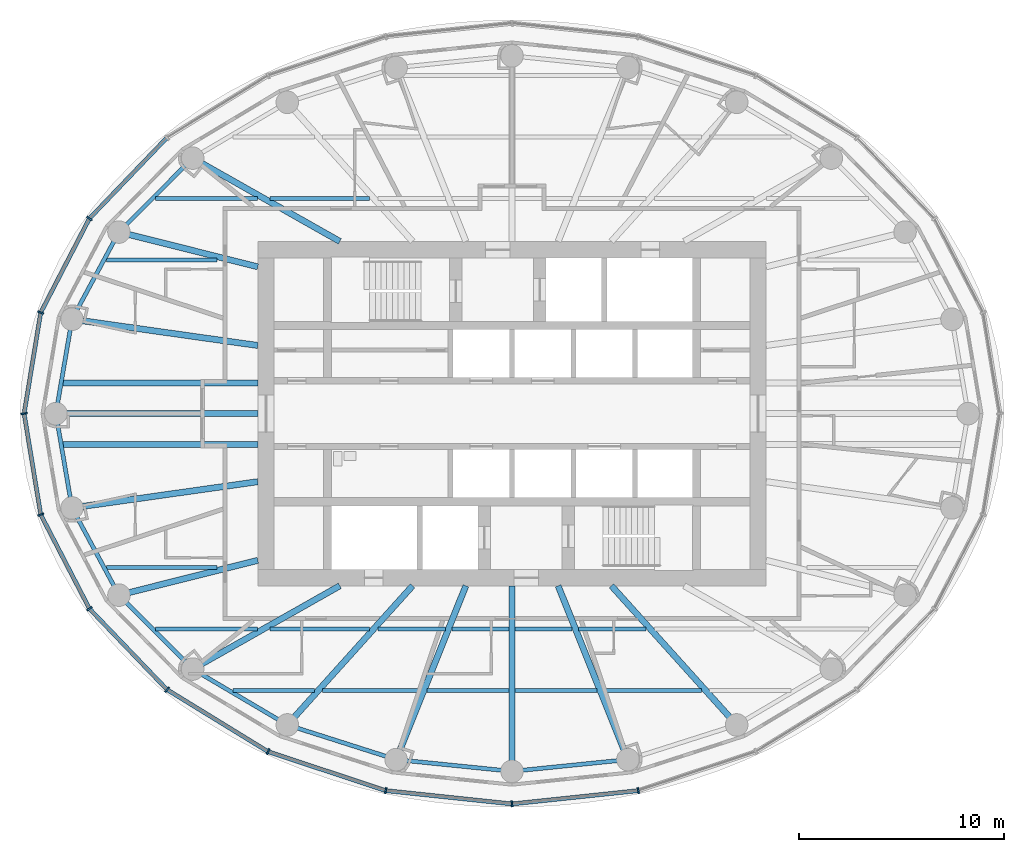
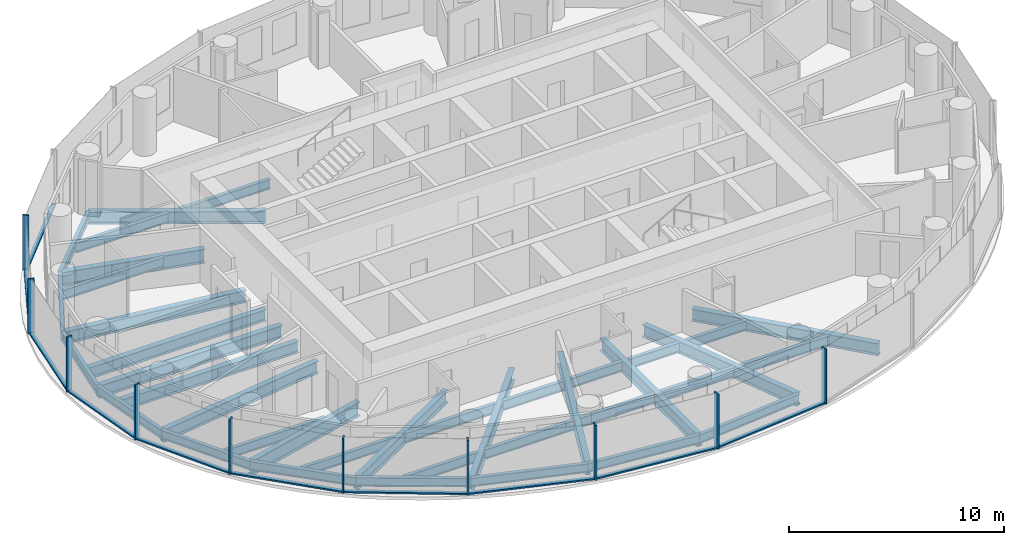
# One storey, part 2 of 16: 39 beams, 20 members, 3 elements without a shape of their own.
"""IFC4 building model written with IfcOpenShell, lengths in metres."""

from ifc_helpers import new_model, si_unit, direction, frame, origin, origin_2d, place, context, subcontext, project, spatial, rectangle, i_section, extrude, material, material_profile, profile_set, type_object, element, aggregate, save


model = new_model("IFC4")

# Units and contexts
model_context = context("Model", 3, precision=1e-05, world=origin(), true_north=direction((0.0, 1.0)))
body_context = subcontext(model_context, "Body", "Model", "MODEL_VIEW")
ifc_project = project(units=[si_unit("LENGTHUNIT", "METRE"), si_unit("AREAUNIT", "SQUARE_METRE"), si_unit("VOLUMEUNIT", "CUBIC_METRE"), si_unit("PLANEANGLEUNIT", "RADIAN"), si_unit("MASSUNIT", "GRAM", prefix="KILO")], contexts=[model_context])

# Site, building, storey
site_placement = place(None, origin())
site = spatial("IfcSite", under=ifc_project, at=site_placement, CompositionType="ELEMENT")
building_placement = place(site_placement, origin())
building = spatial("IfcBuilding", under=site, at=building_placement, Name="Hankou Lantern Tower", CompositionType="ELEMENT")
storey_placement = place(building_placement, frame((0.0, 0.0, 166.5)))
storey = spatial("IfcBuildingStorey", under=building, at=storey_placement, Name="L44", CompositionType="ELEMENT", Elevation=166.5)

# Beams
ifc_material_1 = material(Name="Steel Q355B", Category="steel")
ifc_material_profile_1 = material_profile(ifc_material_1, i_section(OverallWidth=0.199951171875, OverallDepth=0.5, WebThickness=0.010009765625, FlangeThickness=0.01611328125, FilletRadius=0.012939453125, at=origin_2d()), Name="HN500x200x10x16")
ifc_profile_set_1 = profile_set([ifc_material_profile_1], Name="Steel Q355B")
beam_type_1 = type_object("IfcBeamType", Name="EB5 RING BEAM HN500x200x10x16", PredefinedType="SPANDREL", material=ifc_profile_set_1)
beam_1_placement = place(storey_placement, frame((-15.576171875, 12.4609375, -0.429931640625), z_axis=(-0.706147278092, -0.708064984054, 0.0), x_axis=(0.708064984054, -0.706147278092, 0.0)))
element("IfcBeam", 1, at=beam_1_placement, inside=storey, type_object=beam_type_1, Name="Ring beam R10-R11 L44", PredefinedType="SPANDREL", context=body_context, shape_type="SweptSolid", body=[
    extrude(i_section(OverallWidth=0.199951171875, OverallDepth=0.5, WebThickness=0.010009765625, FlangeThickness=0.01611328125, FilletRadius=0.012939453125, at=origin_2d()), origin(), (0.0, 0.0, 1.0), 5.09228515625),
])
beam_2_placement = place(storey_placement, frame((-19.172119140625, 8.855224609375, -0.429931640625), z_axis=(-0.474051612334, -0.880497057828, 0.0), x_axis=(0.880497057828, -0.474051612334, 0.0)))
element("IfcBeam", 2, at=beam_2_placement, inside=storey, type_object=beam_type_1, Name="Ring beam R11-R12 L44", PredefinedType="SPANDREL", context=body_context, shape_type="SweptSolid", body=[
    extrude(i_section(OverallWidth=0.199951171875, OverallDepth=0.5, WebThickness=0.010009765625, FlangeThickness=0.01611328125, FilletRadius=0.012939453125, at=origin_2d()), origin(), (0.0, 0.0, 1.0), 4.831787109375),
])
for number, where, z_axis, x_axis, name in (
    (3, (-21.462646484375, 4.600830078125, -0.429931640625), (-0.168680718946, -0.985670743735, 0.0), (0.985670743735, -0.168680718946, 0.0), "Ring beam R12-R13 L44"),
    (4, (-22.25, 0.0, -0.429931640625), (0.168680718946, -0.985670743735, 0.0), (0.985670743735, 0.168680718946, 0.0), "Ring beam R13-R14 L44"),
):
    element("IfcBeam", number, at=place(storey_placement, frame(where, z_axis=z_axis, x_axis=x_axis)), inside=storey, type_object=beam_type_1, Name=name, PredefinedType="SPANDREL", context=body_context, shape_type="SweptSolid", body=[
        extrude(i_section(OverallWidth=0.199951171875, OverallDepth=0.5, WebThickness=0.010009765625, FlangeThickness=0.01611328125, FilletRadius=0.012939453125, at=origin_2d()), origin(), (0.0, 0.0, 1.0), 4.667724609375),
    ])
beam_3_placement = place(storey_placement, frame((-21.462646484375, -4.600830078125, -0.429931640625), z_axis=(0.474051612334, -0.880497057828, 0.0), x_axis=(0.880497057828, 0.474051612334, 0.0)))
element("IfcBeam", 5, at=beam_3_placement, inside=storey, type_object=beam_type_1, Name="Ring beam R14-R15 L44", PredefinedType="SPANDREL", context=body_context, shape_type="SweptSolid", body=[
    extrude(i_section(OverallWidth=0.199951171875, OverallDepth=0.5, WebThickness=0.010009765625, FlangeThickness=0.01611328125, FilletRadius=0.012939453125, at=origin_2d()), origin(), (0.0, 0.0, 1.0), 4.831787109375),
])
beam_4_placement = place(storey_placement, frame((-19.172119140625, -8.855224609375, -0.429931640625), z_axis=(0.706147278092, -0.708064984054, 0.0), x_axis=(0.708064984054, 0.706147278092, 0.0)))
element("IfcBeam", 6, at=beam_4_placement, inside=storey, type_object=beam_type_1, Name="Ring beam R15-R16 L44", PredefinedType="SPANDREL", context=body_context, shape_type="SweptSolid", body=[
    extrude(i_section(OverallWidth=0.199951171875, OverallDepth=0.5, WebThickness=0.010009765625, FlangeThickness=0.01611328125, FilletRadius=0.012939453125, at=origin_2d()), origin(), (0.0, 0.0, 1.0), 5.09228515625),
])
beam_5_placement = place(storey_placement, frame((-15.576171875, -12.4609375, -0.429931640625), z_axis=(0.861135888339, -0.508374843806, 0.0), x_axis=(0.508374843806, 0.861135888339, 0.0)))
element("IfcBeam", 7, at=beam_5_placement, inside=storey, type_object=beam_type_1, Name="Ring beam R16-R17 L44", PredefinedType="SPANDREL", context=body_context, shape_type="SweptSolid", body=[
    extrude(i_section(OverallWidth=0.199951171875, OverallDepth=0.5, WebThickness=0.010009765625, FlangeThickness=0.01611328125, FilletRadius=0.012939453125, at=origin_2d()), origin(), (0.0, 0.0, 1.0), 5.36083984375),
])
beam_6_placement = place(storey_placement, frame((-10.959716796875, -15.186279296875, -0.429931640625), z_axis=(0.952790404271, -0.30362879562, 0.0), x_axis=(0.30362879562, 0.952790404271, 0.0)))
element("IfcBeam", 8, at=beam_6_placement, inside=storey, type_object=beam_type_1, Name="Ring beam R17-R18 L44", PredefinedType="SPANDREL", context=body_context, shape_type="SweptSolid", body=[
    extrude(i_section(OverallWidth=0.199951171875, OverallDepth=0.5, WebThickness=0.010009765625, FlangeThickness=0.01611328125, FilletRadius=0.012939453125, at=origin_2d()), origin(), (0.0, 0.0, 1.0), 5.56982421875),
])
for number, where, z_axis, x_axis, name in (
    (9, (-5.65283203125, -16.87744140625, -0.429931640625), (0.9949104636, -0.100762936734, 0.0), (0.100762936734, 0.9949104636, 0.0), "Ring beam R18-R19 L44"),
    (10, (0.0, -17.449951171875, -0.429931640625), (0.9949104636, 0.100762936734, 0.0), (-0.100762936734, 0.9949104636, 0.0), "Ring beam R19-R20 L44"),
):
    element("IfcBeam", number, at=place(storey_placement, frame(where, z_axis=z_axis, x_axis=x_axis)), inside=storey, type_object=beam_type_1, Name=name, PredefinedType="SPANDREL", context=body_context, shape_type="SweptSolid", body=[
        extrude(i_section(OverallWidth=0.199951171875, OverallDepth=0.5, WebThickness=0.010009765625, FlangeThickness=0.01611328125, FilletRadius=0.012939453125, at=origin_2d()), origin(), (0.0, 0.0, 1.0), 5.681640625),
    ])

# Curtain wall, members
ifc_material_2 = material(Name="Glass, dark grey tinted laminated", Category="glass")
curtain_wall_type = type_object("IfcCurtainWallType", Name="CWC OUTER SKIN HIGH-RISE", PredefinedType="USERDEFINED", material=ifc_material_2)
curtain_wall_1_placement = place(storey_placement, origin())
curtain_wall_1 = element("IfcCurtainWall", 11, at=curtain_wall_1_placement, inside=storey, type_object=curtain_wall_type, Name="CWC L44 OS2", ObjectType="OUTER SKIN HIGH-RISE", PredefinedType="USERDEFINED")
ifc_material_3 = material(Name="Aluminium, black anodised", Category="aluminium")
ifc_material_profile_2 = material_profile(ifc_material_3, rectangle(XDim=0.080078125, YDim=0.300048828125, at=origin_2d()), Name="MU1 80X300")
ifc_profile_set_2 = profile_set([ifc_material_profile_2], Name="Aluminium, black anodised")
member_type_1 = type_object("IfcMemberType", Name="MU1 OUTER SKIN MULLION 80X300", PredefinedType="MULLION", material=ifc_profile_set_2)
member_1_placement = place(storey_placement, frame((-20.611328125, 9.52001953125, 0.0), z_axis=(0.0, 0.0, 1.0), x_axis=(-0.585205735974, -0.810884854084, 0.0)))
member_1 = element("IfcMember", 12, at=member_1_placement, type_object=member_type_1, Name="CWC mullion 5", PredefinedType="MULLION", context=body_context, shape_type="SweptSolid", body=[
    extrude(rectangle(XDim=0.080078125, YDim=0.300048828125, at=origin_2d()), origin(), (0.0, 0.0, 1.0), 3.1201171875),
])
member_2_placement = place(storey_placement, frame((-22.989013671875, 4.927978515625, 0.0), z_axis=(0.0, 0.0, 1.0), x_axis=(-0.317595577365, -0.94822626479, 0.0)))
member_2 = element("IfcMember", 13, at=member_2_placement, type_object=member_type_1, Name="CWC mullion 6", PredefinedType="MULLION", context=body_context, shape_type="SweptSolid", body=[
    extrude(rectangle(XDim=0.080078125, YDim=0.300048828125, at=origin_2d()), origin(), (0.0, 0.0, 1.0), 3.1201171875),
])

curtain_wall_2_placement = place(storey_placement, origin())
curtain_wall_2 = element("IfcCurtainWall", 14, at=curtain_wall_2_placement, inside=storey, type_object=curtain_wall_type, Name="CWC L44 OS3", ObjectType="OUTER SKIN HIGH-RISE", PredefinedType="USERDEFINED")
member_3_placement = place(storey_placement, frame((-23.800048828125, 0.0, 0.0), z_axis=(0.0, 0.0, 1.0), x_axis=(0.162381515188, -0.986728049427, 0.0)))
member_3 = element("IfcMember", 15, at=member_3_placement, type_object=member_type_1, Name="CWC mullion 1", PredefinedType="MULLION", context=body_context, shape_type="SweptSolid", body=[
    extrude(rectangle(XDim=0.080078125, YDim=0.300048828125, at=origin_2d()), origin(), (0.0, 0.0, 1.0), 3.1201171875),
])
member_4_placement = place(storey_placement, frame((-22.989013671875, -4.927978515625, 0.0), z_axis=(0.0, 0.0, 1.0), x_axis=(0.317595577365, -0.94822626479, 0.0)))
member_4 = element("IfcMember", 16, at=member_4_placement, type_object=member_type_1, Name="CWC mullion 2", PredefinedType="MULLION", context=body_context, shape_type="SweptSolid", body=[
    extrude(rectangle(XDim=0.080078125, YDim=0.300048828125, at=origin_2d()), origin(), (0.0, 0.0, 1.0), 3.1201171875),
])
member_5_placement = place(storey_placement, frame((-20.611328125, -9.52001953125, 0.0), z_axis=(0.0, 0.0, 1.0), x_axis=(0.585205735974, -0.810884854084, 0.0)))
member_5 = element("IfcMember", 17, at=member_5_placement, type_object=member_type_1, Name="CWC mullion 3", PredefinedType="MULLION", context=body_context, shape_type="SweptSolid", body=[
    extrude(rectangle(XDim=0.080078125, YDim=0.300048828125, at=origin_2d()), origin(), (0.0, 0.0, 1.0), 3.1201171875),
])
member_6_placement = place(storey_placement, frame((-16.8291015625, -13.46337890625, 0.0), z_axis=(0.0, 0.0, 1.0), x_axis=(0.780868809444, -0.624695047553, 0.0)))
member_6 = element("IfcMember", 18, at=member_6_placement, type_object=member_type_1, Name="CWC mullion 4", PredefinedType="MULLION", context=body_context, shape_type="SweptSolid", body=[
    extrude(rectangle(XDim=0.080078125, YDim=0.300048828125, at=origin_2d()), origin(), (0.0, 0.0, 1.0), 3.1201171875),
])
member_7_placement = place(storey_placement, frame((-11.89990234375, -16.489013671875, 0.0), z_axis=(0.0, 0.0, 1.0), x_axis=(0.907841299004, -0.419313934686, 0.0)))
member_7 = element("IfcMember", 19, at=member_7_placement, type_object=member_type_1, Name="CWC mullion 5", PredefinedType="MULLION", context=body_context, shape_type="SweptSolid", body=[
    extrude(rectangle(XDim=0.080078125, YDim=0.300048828125, at=origin_2d()), origin(), (0.0, 0.0, 1.0), 3.1201171875),
])
member_8_placement = place(storey_placement, frame((-6.159912109375, -18.39111328125, 0.0), z_axis=(0.0, 0.0, 1.0), x_axis=(0.977787659625, -0.209597931016, 0.0)))
member_8 = element("IfcMember", 20, at=member_8_placement, type_object=member_type_1, Name="CWC mullion 6", PredefinedType="MULLION", context=body_context, shape_type="SweptSolid", body=[
    extrude(rectangle(XDim=0.080078125, YDim=0.300048828125, at=origin_2d()), origin(), (0.0, 0.0, 1.0), 3.1201171875),
])

curtain_wall_3_placement = place(storey_placement, origin())
curtain_wall_3 = element("IfcCurtainWall", 21, at=curtain_wall_3_placement, inside=storey, type_object=curtain_wall_type, Name="CWC L44 OS4", ObjectType="OUTER SKIN HIGH-RISE", PredefinedType="USERDEFINED")
member_9_placement = place(storey_placement, frame((0.0, -19.0400390625, 0.0), z_axis=(0.0, 0.0, 1.0), x_axis=(0.994499359107, 0.104742659579, 0.0)))
member_9 = element("IfcMember", 22, at=member_9_placement, type_object=member_type_1, Name="CWC mullion 1", PredefinedType="MULLION", context=body_context, shape_type="SweptSolid", body=[
    extrude(rectangle(XDim=0.080078125, YDim=0.300048828125, at=origin_2d()), origin(), (0.0, 0.0, 1.0), 3.1201171875),
])
member_10_placement = place(storey_placement, frame((6.159912109375, -18.39111328125, 0.0), z_axis=(0.0, 0.0, 1.0), x_axis=(0.977787659625, 0.209597931016, 0.0)))
member_10 = element("IfcMember", 23, at=member_10_placement, type_object=member_type_1, Name="CWC mullion 2", PredefinedType="MULLION", context=body_context, shape_type="SweptSolid", body=[
    extrude(rectangle(XDim=0.080078125, YDim=0.300048828125, at=origin_2d()), origin(), (0.0, 0.0, 1.0), 3.1201171875),
])

# Beams
ifc_material_4 = material(Name="Steel Q355B", Category="steel")
ifc_material_profile_3 = material_profile(ifc_material_4, i_section(OverallWidth=0.300048828125, OverallDepth=0.800048828125, WebThickness=0.013916015625, FlangeThickness=0.02587890625, FilletRadius=0.01806640625, at=origin_2d()), Name="HN800x300x14x26")
ifc_profile_set_3 = profile_set([ifc_material_profile_3], Name="Steel Q355B")
beam_type_2 = type_object("IfcBeamType", Name="RB11 RADIAL BEAM HN800x300x14x26", PredefinedType="BEAM", material=ifc_profile_set_3)
for number, where, z_axis, x_axis, name in (
    (24, (-12.39990234375, 7.1591796875, -0.580078125), (-0.970041619568, 0.242938791274, 0.0), (-0.242938791274, -0.970041619568, 0.0), "Radial beam R11 L44"),
    (25, (-12.39990234375, -7.1591796875, -0.580078125), (-0.970041619568, -0.242938791274, 0.0), (0.242938791274, -0.970041619568, 0.0), "Radial beam R15 L44"),
):
    element("IfcBeam", number, at=place(storey_placement, frame(where, z_axis=z_axis, x_axis=x_axis)), inside=storey, type_object=beam_type_2, Name=name, PredefinedType="BEAM", context=body_context, shape_type="SweptSolid", body=[
        extrude(i_section(OverallWidth=0.300048828125, OverallDepth=0.800048828125, WebThickness=0.013916015625, FlangeThickness=0.02587890625, FilletRadius=0.01806640625, at=origin_2d()), origin(), (0.0, 0.0, 1.0), 6.9814453125),
    ])
ifc_material_5 = material(Name="Steel Q355B", Category="steel")
ifc_material_profile_4 = material_profile(ifc_material_5, i_section(OverallWidth=0.300048828125, OverallDepth=0.699951171875, WebThickness=0.012939453125, FlangeThickness=0.02392578125, FilletRadius=0.01806640625, at=origin_2d()), Name="HN700x300x13x24")
ifc_profile_set_4 = profile_set([ifc_material_profile_4], Name="Steel Q355B")
beam_type_3 = type_object("IfcBeamType", Name="RB9 RADIAL BEAM HN700x300x13x24", PredefinedType="BEAM", material=ifc_profile_set_4)
beam_7_placement = place(storey_placement, frame((-8.39990234375, 8.39990234375, -0.530029296875), z_axis=(-0.870309058024, 0.492505983234, 0.0), x_axis=(-0.492505983234, -0.870309058024, 0.0)))
element("IfcBeam", 26, at=beam_7_placement, inside=storey, type_object=beam_type_3, Name="Radial beam R10 L44", PredefinedType="BEAM", context=body_context, shape_type="SweptSolid", body=[
    extrude(i_section(OverallWidth=0.300048828125, OverallDepth=0.699951171875, WebThickness=0.012939453125, FlangeThickness=0.02392578125, FilletRadius=0.01806640625, at=origin_2d()), origin(), (0.0, 0.0, 1.0), 8.24560546875),
])
beam_8_placement = place(storey_placement, frame((-12.39990234375, 3.322509765625, -0.530029296875), z_axis=(-0.990198154617, 0.13966966239, 0.0), x_axis=(-0.13966966239, -0.990198154617, 0.0)))
element("IfcBeam", 27, at=beam_8_placement, inside=storey, type_object=beam_type_3, Name="Radial beam R12 L44", PredefinedType="BEAM", context=body_context, shape_type="SweptSolid", body=[
    extrude(i_section(OverallWidth=0.300048828125, OverallDepth=0.699951171875, WebThickness=0.012939453125, FlangeThickness=0.02392578125, FilletRadius=0.01806640625, at=origin_2d()), origin(), (0.0, 0.0, 1.0), 9.15234375),
])
beam_9_placement = place(storey_placement, frame((-12.39990234375, 0.0, -0.530029296875), z_axis=(-1.0, 0.0, 0.0), x_axis=(0.0, -1.0, 0.0)))
element("IfcBeam", 28, at=beam_9_placement, inside=storey, type_object=beam_type_3, Name="Radial beam R13 L44", PredefinedType="BEAM", context=body_context, shape_type="SweptSolid", body=[
    extrude(i_section(OverallWidth=0.300048828125, OverallDepth=0.699951171875, WebThickness=0.012939453125, FlangeThickness=0.02392578125, FilletRadius=0.01806640625, at=origin_2d()), origin(), (0.0, 0.0, 1.0), 9.85009765625),
])
beam_10_placement = place(storey_placement, frame((-12.39990234375, -3.322509765625, -0.530029296875), z_axis=(-0.990198154617, -0.13966966239, 0.0), x_axis=(0.13966966239, -0.990198154617, 0.0)))
element("IfcBeam", 29, at=beam_10_placement, inside=storey, type_object=beam_type_3, Name="Radial beam R14 L44", PredefinedType="BEAM", context=body_context, shape_type="SweptSolid", body=[
    extrude(i_section(OverallWidth=0.300048828125, OverallDepth=0.699951171875, WebThickness=0.012939453125, FlangeThickness=0.02392578125, FilletRadius=0.01806640625, at=origin_2d()), origin(), (0.0, 0.0, 1.0), 9.15234375),
])
beam_11_placement = place(storey_placement, frame((-8.39990234375, -8.39990234375, -0.530029296875), z_axis=(-0.870309058024, -0.492505983234, 0.0), x_axis=(0.492505983234, -0.870309058024, 0.0)))
element("IfcBeam", 30, at=beam_11_placement, inside=storey, type_object=beam_type_3, Name="Radial beam R16 L44", PredefinedType="BEAM", context=body_context, shape_type="SweptSolid", body=[
    extrude(i_section(OverallWidth=0.300048828125, OverallDepth=0.699951171875, WebThickness=0.012939453125, FlangeThickness=0.02392578125, FilletRadius=0.01806640625, at=origin_2d()), origin(), (0.0, 0.0, 1.0), 8.24560546875),
])
beam_12_placement = place(storey_placement, frame((-4.849853515625, -8.39990234375, -0.530029296875), z_axis=(-0.669093231314, -0.743178476418, 0.0), x_axis=(0.743178476418, -0.669093231314, 0.0)))
element("IfcBeam", 31, at=beam_12_placement, inside=storey, type_object=beam_type_3, Name="Radial beam R17 L44", PredefinedType="BEAM", context=body_context, shape_type="SweptSolid", body=[
    extrude(i_section(OverallWidth=0.300048828125, OverallDepth=0.699951171875, WebThickness=0.012939453125, FlangeThickness=0.02392578125, FilletRadius=0.01806640625, at=origin_2d()), origin(), (0.0, 0.0, 1.0), 9.131591796875),
])
beam_13_placement = place(storey_placement, frame((-2.250732421875, -8.39990234375, -0.530029296875), z_axis=(-0.372436468133, -0.928057690666, 0.0), x_axis=(0.928057690666, -0.372436468133, 0.0)))
element("IfcBeam", 32, at=beam_13_placement, inside=storey, type_object=beam_type_3, Name="Radial beam R18 L44", PredefinedType="BEAM", context=body_context, shape_type="SweptSolid", body=[
    extrude(i_section(OverallWidth=0.300048828125, OverallDepth=0.699951171875, WebThickness=0.012939453125, FlangeThickness=0.02392578125, FilletRadius=0.01806640625, at=origin_2d()), origin(), (0.0, 0.0, 1.0), 9.134765625),
])
beam_14_placement = place(storey_placement, frame((0.0, -8.39990234375, -0.530029296875), z_axis=(0.0, -1.0, 0.0), x_axis=(1.0, 0.0, 0.0)))
element("IfcBeam", 33, at=beam_14_placement, inside=storey, type_object=beam_type_3, Name="Radial beam R19 L44", PredefinedType="BEAM", context=body_context, shape_type="SweptSolid", body=[
    extrude(i_section(OverallWidth=0.300048828125, OverallDepth=0.699951171875, WebThickness=0.012939453125, FlangeThickness=0.02392578125, FilletRadius=0.01806640625, at=origin_2d()), origin(), (0.0, 0.0, 1.0), 9.050048828125),
])
beam_15_placement = place(storey_placement, frame((2.250732421875, -8.39990234375, -0.530029296875), z_axis=(0.372436468133, -0.928057690666, 0.0), x_axis=(0.928057690666, 0.372436468133, 0.0)))
element("IfcBeam", 34, at=beam_15_placement, inside=storey, type_object=beam_type_3, Name="Radial beam R20 L44", PredefinedType="BEAM", context=body_context, shape_type="SweptSolid", body=[
    extrude(i_section(OverallWidth=0.300048828125, OverallDepth=0.699951171875, WebThickness=0.012939453125, FlangeThickness=0.02392578125, FilletRadius=0.01806640625, at=origin_2d()), origin(), (0.0, 0.0, 1.0), 9.134765625),
])
beam_16_placement = place(storey_placement, frame((4.849853515625, -8.39990234375, -0.530029296875), z_axis=(0.669093231314, -0.743178476418, 0.0), x_axis=(0.743178476418, 0.669093231314, 0.0)))
element("IfcBeam", 35, at=beam_16_placement, inside=storey, type_object=beam_type_3, Name="Radial beam R21 L44", PredefinedType="BEAM", context=body_context, shape_type="SweptSolid", body=[
    extrude(i_section(OverallWidth=0.300048828125, OverallDepth=0.699951171875, WebThickness=0.012939453125, FlangeThickness=0.02392578125, FilletRadius=0.01806640625, at=origin_2d()), origin(), (0.0, 0.0, 1.0), 9.131591796875),
])
ifc_material_6 = material(Name="Steel Q355B", Category="steel")
ifc_material_profile_5 = material_profile(ifc_material_6, i_section(OverallWidth=0.199951171875, OverallDepth=0.550048828125, WebThickness=0.010009765625, FlangeThickness=0.01611328125, FilletRadius=0.012939453125, at=origin_2d()), Name="HN550x200x10x16")
ifc_profile_set_5 = profile_set([ifc_material_profile_5], Name="Steel Q355B")
beam_type_4 = type_object("IfcBeamType", Name="SB6 SECONDARY BEAM HN550x200x10x16", PredefinedType="JOIST", material=ifc_profile_set_5)
beam_17_placement = place(storey_placement, frame((-13.619384765625, -13.5, -0.455078125), z_axis=(1.0, 0.0, 0.0), x_axis=(0.0, 1.0, 0.0)))
element("IfcBeam", 36, at=beam_17_placement, inside=storey, type_object=beam_type_4, Name="Floor joist J001 L44", PredefinedType="JOIST", context=body_context, shape_type="SweptSolid", body=[
    extrude(i_section(OverallWidth=0.199951171875, OverallDepth=0.550048828125, WebThickness=0.010009765625, FlangeThickness=0.01611328125, FilletRadius=0.012939453125, at=origin_2d()), origin(), (0.0, 0.0, 1.0), 3.97607421875),
])
beam_18_placement = place(storey_placement, frame((-9.23974609375, -13.5, -0.455078125), z_axis=(1.0, 0.0, 0.0), x_axis=(0.0, 1.0, 0.0)))
element("IfcBeam", 37, at=beam_18_placement, inside=storey, type_object=beam_type_4, Name="Floor joist J002 L44", PredefinedType="JOIST", context=body_context, shape_type="SweptSolid", body=[
    extrude(i_section(OverallWidth=0.199951171875, OverallDepth=0.550048828125, WebThickness=0.010009765625, FlangeThickness=0.01611328125, FilletRadius=0.012939453125, at=origin_2d()), origin(), (0.0, 0.0, 1.0), 4.780517578125),
])
for number, where, z_axis, x_axis, name in (
    (38, (-4.135986328125, -13.5, -0.455078125), (1.0, 0.0, 0.0), (0.0, 1.0, 0.0), "Floor joist J003 L44"),
    (39, (0.14990234375, -13.5, -0.455078125), (1.0, 0.0, 0.0), (0.0, 1.0, 0.0), "Floor joist J004 L44"),
):
    element("IfcBeam", number, at=place(storey_placement, frame(where, z_axis=z_axis, x_axis=x_axis)), inside=storey, type_object=beam_type_4, Name=name, PredefinedType="JOIST", context=body_context, shape_type="SweptSolid", body=[
        extrude(i_section(OverallWidth=0.199951171875, OverallDepth=0.550048828125, WebThickness=0.010009765625, FlangeThickness=0.01611328125, FilletRadius=0.012939453125, at=origin_2d()), origin(), (0.0, 0.0, 1.0), 3.986083984375),
    ])
beam_19_placement = place(storey_placement, frame((4.459228515625, -13.5, -0.455078125), z_axis=(1.0, 0.0, 0.0), x_axis=(0.0, 1.0, 0.0)))
element("IfcBeam", 40, at=beam_19_placement, inside=storey, type_object=beam_type_4, Name="Floor joist J005 L44", PredefinedType="JOIST", context=body_context, shape_type="SweptSolid", body=[
    extrude(i_section(OverallWidth=0.199951171875, OverallDepth=0.550048828125, WebThickness=0.010009765625, FlangeThickness=0.01611328125, FilletRadius=0.012939453125, at=origin_2d()), origin(), (0.0, 0.0, 1.0), 4.780517578125),
])
beam_20_placement = place(storey_placement, frame((-17.390625, -10.5, -0.455078125), z_axis=(1.0, 0.0, 0.0), x_axis=(0.0, 1.0, 0.0)))
element("IfcBeam", 41, at=beam_20_placement, inside=storey, type_object=beam_type_4, Name="Floor joist J007 L44", PredefinedType="JOIST", context=body_context, shape_type="SweptSolid", body=[
    extrude(i_section(OverallWidth=0.199951171875, OverallDepth=0.550048828125, WebThickness=0.010009765625, FlangeThickness=0.01611328125, FilletRadius=0.012939453125, at=origin_2d()), origin(), (0.0, 0.0, 1.0), 4.97509765625),
])
beam_21_placement = place(storey_placement, frame((-11.806396484375, -10.5, -0.455078125), z_axis=(1.0, 0.0, 0.0), x_axis=(0.0, 1.0, 0.0)))
element("IfcBeam", 42, at=beam_21_placement, inside=storey, type_object=beam_type_4, Name="Floor joist J008 L44", PredefinedType="JOIST", context=body_context, shape_type="SweptSolid", body=[
    extrude(i_section(OverallWidth=0.199951171875, OverallDepth=0.550048828125, WebThickness=0.010009765625, FlangeThickness=0.01611328125, FilletRadius=0.012939453125, at=origin_2d()), origin(), (0.0, 0.0, 1.0), 4.864013671875),
])
beam_22_placement = place(storey_placement, frame((-6.53857421875, -10.5, -0.455078125), z_axis=(1.0, 0.0, 0.0), x_axis=(0.0, 1.0, 0.0)))
element("IfcBeam", 43, at=beam_22_placement, inside=storey, type_object=beam_type_4, Name="Floor joist J009 L44", PredefinedType="JOIST", context=body_context, shape_type="SweptSolid", body=[
    extrude(i_section(OverallWidth=0.199951171875, OverallDepth=0.550048828125, WebThickness=0.010009765625, FlangeThickness=0.01611328125, FilletRadius=0.012939453125, at=origin_2d()), origin(), (0.0, 0.0, 1.0), 3.283447265625),
])
for number, where, z_axis, x_axis, name in (
    (44, (-2.931884765625, -10.5, -0.455078125), (1.0, 0.0, 0.0), (0.0, 1.0, 0.0), "Floor joist J010 L44"),
    (45, (0.14990234375, -10.5, -0.455078125), (1.0, 0.0, 0.0), (0.0, 1.0, 0.0), "Floor joist J011 L44"),
):
    element("IfcBeam", number, at=place(storey_placement, frame(where, z_axis=z_axis, x_axis=x_axis)), inside=storey, type_object=beam_type_4, Name=name, PredefinedType="JOIST", context=body_context, shape_type="SweptSolid", body=[
        extrude(i_section(OverallWidth=0.199951171875, OverallDepth=0.550048828125, WebThickness=0.010009765625, FlangeThickness=0.01611328125, FilletRadius=0.012939453125, at=origin_2d()), origin(), (0.0, 0.0, 1.0), 2.781982421875),
    ])
beam_23_placement = place(storey_placement, frame((3.255126953125, -10.5, -0.455078125), z_axis=(1.0, 0.0, 0.0), x_axis=(0.0, 1.0, 0.0)))
element("IfcBeam", 46, at=beam_23_placement, inside=storey, type_object=beam_type_4, Name="Floor joist J012 L44", PredefinedType="JOIST", context=body_context, shape_type="SweptSolid", body=[
    extrude(i_section(OverallWidth=0.199951171875, OverallDepth=0.550048828125, WebThickness=0.010009765625, FlangeThickness=0.01611328125, FilletRadius=0.012939453125, at=origin_2d()), origin(), (0.0, 0.0, 1.0), 3.283447265625),
])
for number, where, z_axis, x_axis, name in (
    (47, (-19.788330078125, -7.5, -0.455078125), (1.0, 0.0, 0.0), (0.0, 1.0, 0.0), "Floor joist J015 L44"),
    (48, (-19.788330078125, 7.5, -0.455078125), (1.0, 0.0, 0.0), (0.0, 1.0, 0.0), "Floor joist J025 L44"),
):
    element("IfcBeam", number, at=place(storey_placement, frame(where, z_axis=z_axis, x_axis=x_axis)), inside=storey, type_object=beam_type_4, Name=name, PredefinedType="JOIST", context=body_context, shape_type="SweptSolid", body=[
        extrude(i_section(OverallWidth=0.199951171875, OverallDepth=0.550048828125, WebThickness=0.010009765625, FlangeThickness=0.01611328125, FilletRadius=0.012939453125, at=origin_2d()), origin(), (0.0, 0.0, 1.0), 5.409912109375),
    ])
beam_24_placement = place(storey_placement, frame((-17.390625, 10.5, -0.455078125), z_axis=(1.0, 0.0, 0.0), x_axis=(0.0, 1.0, 0.0)))
element("IfcBeam", 49, at=beam_24_placement, inside=storey, type_object=beam_type_4, Name="Floor joist J027 L44", PredefinedType="JOIST", context=body_context, shape_type="SweptSolid", body=[
    extrude(i_section(OverallWidth=0.199951171875, OverallDepth=0.550048828125, WebThickness=0.010009765625, FlangeThickness=0.01611328125, FilletRadius=0.012939453125, at=origin_2d()), origin(), (0.0, 0.0, 1.0), 4.97509765625),
])
beam_25_placement = place(storey_placement, frame((-11.806396484375, 10.5, -0.455078125), z_axis=(1.0, 0.0, 0.0), x_axis=(0.0, 1.0, 0.0)))
element("IfcBeam", 50, at=beam_25_placement, inside=storey, type_object=beam_type_4, Name="Floor joist J028 L44", PredefinedType="JOIST", context=body_context, shape_type="SweptSolid", body=[
    extrude(i_section(OverallWidth=0.199951171875, OverallDepth=0.550048828125, WebThickness=0.010009765625, FlangeThickness=0.01611328125, FilletRadius=0.012939453125, at=origin_2d()), origin(), (0.0, 0.0, 1.0), 4.864013671875),
])
ifc_material_7 = material(Name="Steel Q355B", Category="steel")
ifc_material_profile_6 = material_profile(ifc_material_7, i_section(OverallWidth=0.300048828125, OverallDepth=0.64990234375, WebThickness=0.010986328125, FlangeThickness=0.01708984375, FilletRadius=0.01806640625, at=origin_2d()), Name="HN650x300x11x17")
ifc_profile_set_6 = profile_set([ifc_material_profile_6], Name="Steel Q355B")
beam_type_5 = type_object("IfcBeamType", Name="SB8 SECONDARY BEAM HN650x300x11x17", PredefinedType="JOIST", material=ifc_profile_set_6)
for number, where, z_axis, x_axis, name in (
    (51, (-21.891845703125, -1.5, -0.5048828125), (1.0, 0.0, 0.0), (0.0, 1.0, 0.0), "Floor joist J019 L44"),
    (52, (-21.891845703125, 1.5, -0.5048828125), (1.0, 0.0, 0.0), (0.0, 1.0, 0.0), "Floor joist J021 L44"),
):
    element("IfcBeam", number, at=place(storey_placement, frame(where, z_axis=z_axis, x_axis=x_axis)), inside=storey, type_object=beam_type_5, Name=name, PredefinedType="JOIST", context=body_context, shape_type="SweptSolid", body=[
        extrude(i_section(OverallWidth=0.300048828125, OverallDepth=0.64990234375, WebThickness=0.010986328125, FlangeThickness=0.01708984375, FilletRadius=0.01806640625, at=origin_2d()), origin(), (0.0, 0.0, 1.0), 9.491943359375),
    ])

# Member
ifc_material_8 = material(Name="Aluminium, black anodised", Category="aluminium")
ifc_material_profile_7 = material_profile(ifc_material_8, rectangle(XDim=0.199951171875, YDim=0.080078125, at=origin_2d()), Name="TR1 200X80")
ifc_profile_set_7 = profile_set([ifc_material_profile_7], Name="Aluminium, black anodised")
member_type_2 = type_object("IfcMemberType", Name="TR1 OUTER SKIN TRANSOM 200X80", PredefinedType="USERDEFINED", material=ifc_profile_set_7)
member_11_placement = place(storey_placement, frame((-16.85693359375, 13.434326171875, 0.0400390625), z_axis=(-0.692215543831, -0.721690820836, 0.0), x_axis=(0.721690820836, -0.692215543831, 0.0)))
member_11 = element("IfcMember", 53, at=member_11_placement, type_object=member_type_2, Name="CWC transom 4", ObjectType="TRANSOM", PredefinedType="USERDEFINED", context=body_context, shape_type="SweptSolid", body=[
    extrude(rectangle(XDim=0.199951171875, YDim=0.080078125, at=origin_2d()), origin(), (0.0, 0.0, 1.0), 5.3837890625),
])

member_12_placement = place(storey_placement, frame((-20.6298828125, 9.484375, 0.0400390625), z_axis=(-0.459790772977, -0.888027277219, 0.0), x_axis=(0.888027277219, -0.459790772977, 0.0)))
member_12 = element("IfcMember", 54, at=member_12_placement, type_object=member_type_2, Name="CWC transom 5", ObjectType="TRANSOM", PredefinedType="USERDEFINED", context=body_context, shape_type="SweptSolid", body=[
    extrude(rectangle(XDim=0.199951171875, YDim=0.080078125, at=origin_2d()), origin(), (0.0, 0.0, 1.0), 5.091064453125),
])

member_13_placement = place(storey_placement, frame((-22.99560546875, 4.888427734375, 0.0400390625), z_axis=(-0.162360337061, -0.986731534385, 0.0), x_axis=(0.986731534385, -0.162360337061, 0.0)))
member_13 = element("IfcMember", 55, at=member_13_placement, type_object=member_type_2, Name="CWC transom 6", ObjectType="TRANSOM", PredefinedType="USERDEFINED", context=body_context, shape_type="SweptSolid", body=[
    extrude(rectangle(XDim=0.199951171875, YDim=0.080078125, at=origin_2d()), origin(), (0.0, 0.0, 1.0), 4.9140625),
])

aggregate(curtain_wall_1, [member_1, member_2, member_11, member_12, member_13])

member_14_placement = place(storey_placement, frame((-23.79345703125, -0.03955078125, 0.0400390625), z_axis=(0.162360337061, -0.986731534385, 0.0), x_axis=(0.986731534385, 0.162360337061, 0.0)))
member_14 = element("IfcMember", 56, at=member_14_placement, type_object=member_type_2, Name="CWC transom 1", ObjectType="TRANSOM", PredefinedType="USERDEFINED", context=body_context, shape_type="SweptSolid", body=[
    extrude(rectangle(XDim=0.199951171875, YDim=0.080078125, at=origin_2d()), origin(), (0.0, 0.0, 1.0), 4.9140625),
])

member_15_placement = place(storey_placement, frame((-22.970703125, -4.96337890625, 0.0400390625), z_axis=(0.459790772977, -0.888027277219, 0.0), x_axis=(0.888027277219, 0.459790772977, 0.0)))
member_15 = element("IfcMember", 57, at=member_15_placement, type_object=member_type_2, Name="CWC transom 2", ObjectType="TRANSOM", PredefinedType="USERDEFINED", context=body_context, shape_type="SweptSolid", body=[
    extrude(rectangle(XDim=0.199951171875, YDim=0.080078125, at=origin_2d()), origin(), (0.0, 0.0, 1.0), 5.091064453125),
])

member_16_placement = place(storey_placement, frame((-20.583740234375, -9.548828125, 0.0400390625), z_axis=(0.692215543831, -0.721690820836, 0.0), x_axis=(0.721690820836, 0.692215543831, 0.0)))
member_16 = element("IfcMember", 58, at=member_16_placement, type_object=member_type_2, Name="CWC transom 3", ObjectType="TRANSOM", PredefinedType="USERDEFINED", context=body_context, shape_type="SweptSolid", body=[
    extrude(rectangle(XDim=0.199951171875, YDim=0.080078125, at=origin_2d()), origin(), (0.0, 0.0, 1.0), 5.3837890625),
])

member_17_placement = place(storey_placement, frame((-16.795166015625, -13.484130859375, 0.0400390625), z_axis=(0.852229482357, -0.523168146394, 0.0), x_axis=(0.523168146394, 0.852229482357, 0.0)))
member_17 = element("IfcMember", 59, at=member_17_placement, type_object=member_type_2, Name="CWC transom 4", ObjectType="TRANSOM", PredefinedType="USERDEFINED", context=body_context, shape_type="SweptSolid", body=[
    extrude(rectangle(XDim=0.199951171875, YDim=0.080078125, at=origin_2d()), origin(), (0.0, 0.0, 1.0), 5.703857421875),
])

member_18_placement = place(storey_placement, frame((-11.862060546875, -16.501708984375, 0.0400390625), z_axis=(0.949242327551, -0.314545709849, 0.0), x_axis=(0.314545709849, 0.949242327551, 0.0)))
member_18 = element("IfcMember", 60, at=member_18_placement, type_object=member_type_2, Name="CWC transom 5", ObjectType="TRANSOM", PredefinedType="USERDEFINED", context=body_context, shape_type="SweptSolid", body=[
    extrude(rectangle(XDim=0.199951171875, YDim=0.080078125, at=origin_2d()), origin(), (0.0, 0.0, 1.0), 5.96728515625),
])

member_19_placement = place(storey_placement, frame((-6.1201171875, -18.3955078125, 0.0400390625), z_axis=(0.994499543631, -0.104740907567, 0.0), x_axis=(0.104740907567, 0.994499543631, 0.0)))
member_19 = element("IfcMember", 61, at=member_19_placement, type_object=member_type_2, Name="CWC transom 6", ObjectType="TRANSOM", PredefinedType="USERDEFINED", context=body_context, shape_type="SweptSolid", body=[
    extrude(rectangle(XDim=0.199951171875, YDim=0.080078125, at=origin_2d()), origin(), (0.0, 0.0, 1.0), 6.114013671875),
])

aggregate(curtain_wall_2, [member_3, member_4, member_5, member_6, member_7, member_8, member_14, member_15, member_16, member_17, member_18, member_19])

member_20_placement = place(storey_placement, frame((0.039794921875, -19.035888671875, 0.0400390625), z_axis=(0.994499543631, 0.104740907567, 0.0), x_axis=(-0.104740907567, 0.994499543631, 0.0)))
member_20 = element("IfcMember", 62, at=member_20_placement, type_object=member_type_2, Name="CWC transom 1", ObjectType="TRANSOM", PredefinedType="USERDEFINED", context=body_context, shape_type="SweptSolid", body=[
    extrude(rectangle(XDim=0.199951171875, YDim=0.080078125, at=origin_2d()), origin(), (0.0, 0.0, 1.0), 6.114013671875),
])

aggregate(curtain_wall_3, [member_9, member_10, member_20])

save(model, "model.ifc")
